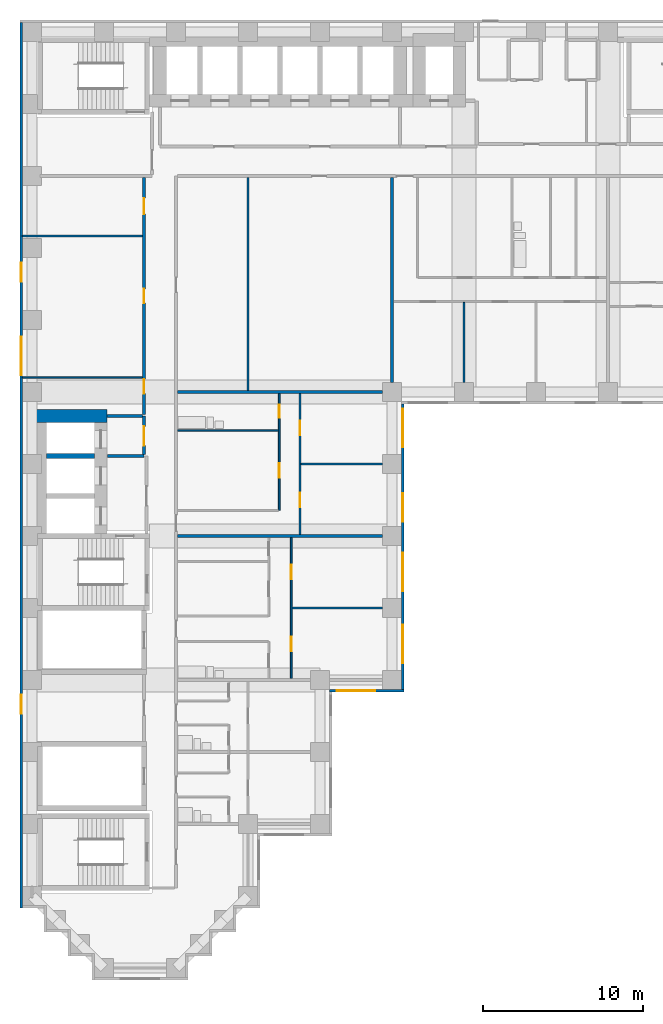
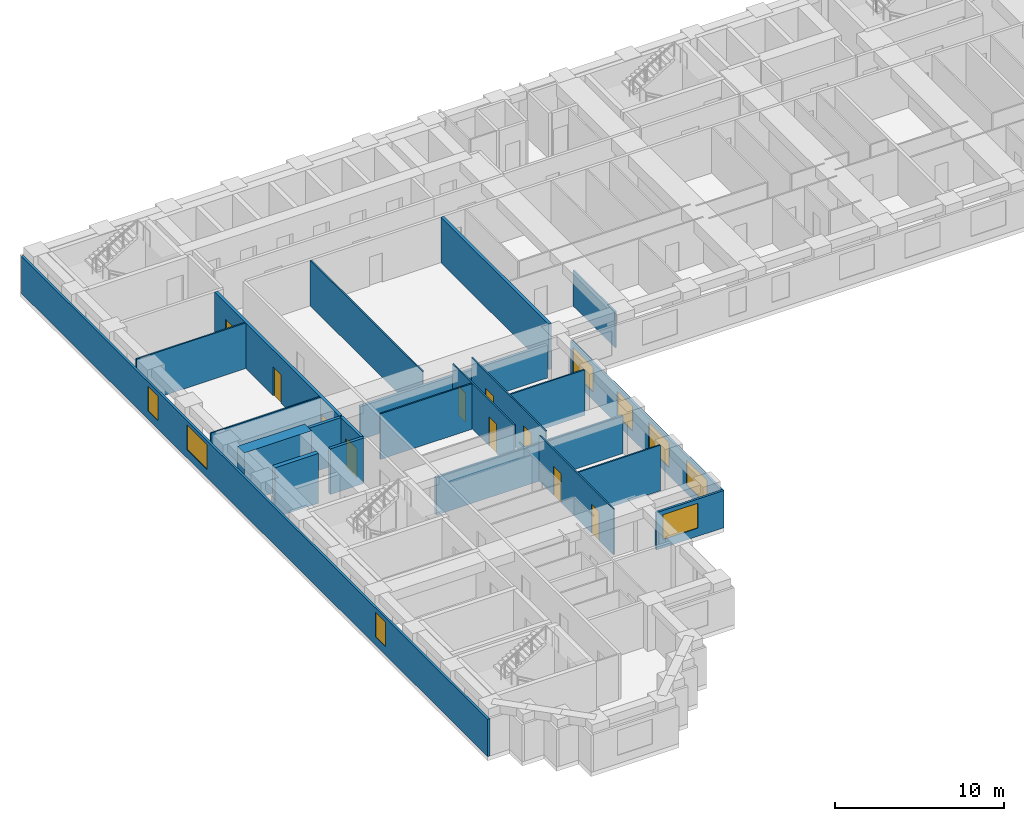
# One storey, part 4 of 12: 22 walls, 10 doors, 8 windows, 18 openings.
"""IFC4 building model written with IfcOpenShell, lengths in metres."""

from ifc_helpers import new_model, si_unit, direction, frame, frame_2d, origin, place, context, subcontext, project, spatial, rectangle, extrude, material, layer, layer_set, type_object, element, fill, save


model = new_model("IFC4")

# Units and contexts
model_context = context("Model", 3, precision=1e-05, world=origin(), true_north=direction((0.0, 1.0)))
body_context = subcontext(model_context, "Body", "Model", "MODEL_VIEW")
ifc_project = project(units=[si_unit("LENGTHUNIT", "METRE"), si_unit("AREAUNIT", "SQUARE_METRE"), si_unit("VOLUMEUNIT", "CUBIC_METRE"), si_unit("PLANEANGLEUNIT", "RADIAN"), si_unit("MASSUNIT", "GRAM", prefix="KILO")], contexts=[model_context])

# Site, building, storey
site_placement = place(None, origin())
site = spatial("IfcSite", under=ifc_project, at=site_placement, CompositionType="ELEMENT")
building_placement = place(site_placement, origin())
building = spatial("IfcBuilding", under=site, at=building_placement, Name="Firuza Court", CompositionType="ELEMENT")
storey_placement = place(building_placement, frame((0.0, 0.0, 65.0)))
storey = spatial("IfcBuildingStorey", under=building, at=storey_placement, Name="L15", CompositionType="ELEMENT", Elevation=65.0)

# Walls
ifc_material_1 = material(Name="Moisture-resistant gypsum board partition")
ifc_layer_1 = layer(ifc_material_1, 0.10009765625)
ifc_layer_set_1 = layer_set([ifc_layer_1], Name="Moisture-resistant gypsum board partition")
wall_type_1 = type_object("IfcWallType", Name="Bathroom partition 100", PredefinedType="PLUMBINGWALL", material=ifc_layer_set_1)
wall_1_placement = place(storey_placement, frame((9.10009765625, 33.60009765625, 0.0), z_axis=(0.0, 0.0, 1.0), x_axis=(1.0, 0.0, 0.0)))
element("IfcWall", 1, at=wall_1_placement, inside=storey, type_object=wall_type_1, Name="Bathroom partition 100 L15", PredefinedType="PLUMBINGWALL", context=body_context, shape_type="SweptSolid", body=[
    extrude(rectangle(XDim=6.2998046875, YDim=0.10009765625, at=frame_2d((3.14990234375, 0.0))), origin(), (0.0, 0.0, 1.0), 3.300048828125),
])
ifc_material_2 = material(Name="Concrete C60/75", Category="concrete")
ifc_layer_2 = layer(ifc_material_2, 0.300048828125)
ifc_layer_set_2 = layer_set([ifc_layer_2], Name="Concrete C60/75")
wall_type_2 = type_object("IfcWallType", Name="Core wall 300 C60/75", PredefinedType="SHEAR", material=ifc_layer_set_2)
wall_2_placement = place(storey_placement, frame((0.89990234375, 32.0, -0.300048828125), z_axis=(0.0, 0.0, 1.0), x_axis=(1.0, 0.0, 0.0)))
element("IfcWall", 2, at=wall_2_placement, inside=storey, type_object=wall_type_2, Name="Core wall lift shaft L15", PredefinedType="SHEAR", context=body_context, shape_type="SweptSolid", body=[
    extrude(rectangle(XDim=3.0, YDim=0.300048828125, at=frame_2d((1.5, 0.0))), origin(), (0.0, 0.0, 1.0), 3.60009765625),
])
ifc_layer_3 = layer(ifc_material_2, 0.800048828125)
ifc_layer_set_3 = layer_set([ifc_layer_3], Name="Concrete C60/75")
wall_type_3 = type_object("IfcWallType", Name="Core wall 800 C60/75", PredefinedType="SHEAR", material=ifc_layer_set_3)
wall_3_placement = place(storey_placement, frame((0.10009765625, 34.5, -0.300048828125), z_axis=(0.0, 0.0, 1.0), x_axis=(1.0, 0.0, 0.0)))
element("IfcWall", 3, at=wall_3_placement, inside=storey, type_object=wall_type_3, Name="Core wall lift shaft L15", PredefinedType="SHEAR", context=body_context, shape_type="SweptSolid", body=[
    extrude(rectangle(XDim=4.599853515625, YDim=0.800048828125, at=frame_2d((2.2998046875, 0.0))), origin(), (0.0, 0.0, 1.0), 3.60009765625),
])

# Wall, openings, doors
ifc_material_3 = material(Name="Blockwork, plastered both sides", Category="masonry")
ifc_layer_4 = layer(ifc_material_3, 0.199951171875)
ifc_layer_set_4 = layer_set([ifc_layer_4], Name="Blockwork, plastered both sides")
wall_type_4 = type_object("IfcWallType", Name="Corridor wall 200", PredefinedType="PARTITIONING", material=ifc_layer_set_4)
wall_4_placement = place(storey_placement, frame((7.0, 34.60009765625, 0.0), z_axis=(0.0, 0.0, 1.0), x_axis=(0.0, 1.0, 0.0)))
wall_4 = element("IfcWall", 4, at=wall_4_placement, inside=storey, type_object=wall_type_4, Name="Corridor wall 200 L15", PredefinedType="PARTITIONING", context=body_context, shape_type="SweptSolid", body=[
    extrude(rectangle(XDim=14.7998046875, YDim=0.199951171875, at=frame_2d((7.39990234375, 0.0))), origin(), (0.0, 0.0, 1.0), 3.300048828125),
])
opening_1_placement = place(wall_4_placement, frame((1.300048828125, 0.0, 0.0)))
opening_1 = element("IfcOpeningElement", 5, at=opening_1_placement, cuts=wall_4, Name="Opening D15041", PredefinedType="OPENING", context=body_context, shape_type="SweptSolid", body=[
    extrude(rectangle(XDim=0.89990234375, YDim=2.10009765625, at=frame_2d((0.449951171875, 1.050048828125))), frame((0.0, 0.11181640625, 0.0), z_axis=(0.0, -1.0, 0.0), x_axis=(1.0, 0.0, 0.0)), (0.0, 0.0, 1.0), 0.223876953125),
])
opening_2_placement = place(wall_4_placement, frame((6.949951171875, 0.0, 0.0)))
opening_2 = element("IfcOpeningElement", 6, at=opening_2_placement, cuts=wall_4, Name="Opening D15042", PredefinedType="OPENING", context=body_context, shape_type="SweptSolid", body=[
    extrude(rectangle(XDim=0.89990234375, YDim=2.10009765625, at=frame_2d((0.449951171875, 1.050048828125))), frame((0.0, 0.11181640625, 0.0), z_axis=(0.0, -1.0, 0.0), x_axis=(1.0, 0.0, 0.0)), (0.0, 0.0, 1.0), 0.223876953125),
])
opening_3_placement = place(wall_4_placement, frame((12.52490234375, 0.0, 0.0)))
opening_3 = element("IfcOpeningElement", 7, at=opening_3_placement, cuts=wall_4, Name="Opening D15043", PredefinedType="OPENING", context=body_context, shape_type="SweptSolid", body=[
    extrude(rectangle(XDim=1.0, YDim=2.10009765625, at=frame_2d((0.5, 1.050048828125))), frame((0.0, 0.11181640625, 0.0), z_axis=(0.0, -1.0, 0.0), x_axis=(1.0, 0.0, 0.0)), (0.0, 0.0, 1.0), 0.223876953125),
])
ifc_material_4 = material(Name="Timber door leaf in hardwood frame", Category="wood")
door_type_1 = type_object("IfcDoorType", Name="Room door 900 EI 30", OperationType="SINGLE_SWING_LEFT", PredefinedType="DOOR", material=ifc_material_4)
door_1_placement = place(opening_1_placement, origin())
door_1 = element("IfcDoor", 8, at=door_1_placement, inside=storey, type_object=door_type_1, Name="Meeting room door", OperationType="SINGLE_SWING_LEFT", OverallHeight=2.10009765625, OverallWidth=0.89990234375, PredefinedType="DOOR", context=body_context, shape_type="SweptSolid", body=[
    extrude(rectangle(XDim=0.89990234375, YDim=2.10009765625, at=frame_2d((0.449951171875, 1.050048828125))), frame((0.0, 0.02490234375, 0.0), z_axis=(0.0, -1.0, 0.0), x_axis=(1.0, 0.0, 0.0)), (0.0, 0.0, 1.0), 0.050048828125),
])
fill(opening_1, door_1)
door_2_placement = place(opening_2_placement, origin())
door_2 = element("IfcDoor", 9, at=door_2_placement, inside=storey, type_object=door_type_1, Name="Meeting room door", OperationType="SINGLE_SWING_LEFT", OverallHeight=2.10009765625, OverallWidth=0.89990234375, PredefinedType="DOOR", context=body_context, shape_type="SweptSolid", body=[
    extrude(rectangle(XDim=0.89990234375, YDim=2.10009765625, at=frame_2d((0.449951171875, 1.050048828125))), frame((0.0, 0.02490234375, 0.0), z_axis=(0.0, -1.0, 0.0), x_axis=(1.0, 0.0, 0.0)), (0.0, 0.0, 1.0), 0.050048828125),
])
fill(opening_2, door_2)
ifc_material_5 = material(Name="Timber door leaf in hardwood frame", Category="wood")
door_type_2 = type_object("IfcDoorType", Name="Store door 1000", OperationType="SINGLE_SWING_LEFT", PredefinedType="DOOR", material=ifc_material_5)
door_3_placement = place(opening_3_placement, origin())
door_3 = element("IfcDoor", 10, at=door_3_placement, inside=storey, type_object=door_type_2, Name="Comms room door", OperationType="SINGLE_SWING_LEFT", OverallHeight=2.10009765625, OverallWidth=1.0, PredefinedType="DOOR", context=body_context, shape_type="SweptSolid", body=[
    extrude(rectangle(XDim=1.0, YDim=2.10009765625, at=frame_2d((0.5, 1.050048828125))), frame((0.0, 0.02490234375, 0.0), z_axis=(0.0, -1.0, 0.0), x_axis=(1.0, 0.0, 0.0)), (0.0, 0.0, 1.0), 0.050048828125),
])
fill(opening_3, door_3)

ifc_material_6 = material(Name="Timber stud partition, plasterboard both sides", Category="wood")
ifc_layer_5 = layer(ifc_material_6, 0.10009765625)
ifc_layer_set_5 = layer_set([ifc_layer_5], Name="Timber stud partition, plasterboard both sides")
wall_type_5 = type_object("IfcWallType", Name="Partition wall 100", PredefinedType="PARTITIONING", material=ifc_layer_set_5)
wall_5_placement = place(storey_placement, frame((16.199951171875, 18.10009765625, 0.0), z_axis=(0.0, 0.0, 1.0), x_axis=(0.0, 1.0, 0.0)))
wall_5 = element("IfcWall", 11, at=wall_5_placement, inside=storey, type_object=wall_type_5, Name="Partition wall 100 L15", PredefinedType="PARTITIONING", context=body_context, shape_type="SweptSolid", body=[
    extrude(rectangle(XDim=8.7998046875, YDim=0.10009765625, at=frame_2d((4.39990234375, 0.0))), origin(), (0.0, 0.0, 1.0), 3.300048828125),
])
opening_4_placement = place(wall_5_placement, frame((1.699951171875, 0.0, 0.0)))
opening_4 = element("IfcOpeningElement", 12, at=opening_4_placement, cuts=wall_5, Name="Opening D15033", PredefinedType="OPENING", context=body_context, shape_type="SweptSolid", body=[
    extrude(rectangle(XDim=0.89990234375, YDim=2.10009765625, at=frame_2d((0.449951171875, 1.050048828125))), frame((0.0, 0.06201171875, 0.0), z_axis=(0.0, -1.0, 0.0), x_axis=(1.0, 0.0, 0.0)), (0.0, 0.0, 1.0), 0.1240234375),
])
opening_5_placement = place(wall_5_placement, frame((6.199951171875, 0.0, 0.0)))
opening_5 = element("IfcOpeningElement", 13, at=opening_5_placement, cuts=wall_5, Name="Opening D15034", PredefinedType="OPENING", context=body_context, shape_type="SweptSolid", body=[
    extrude(rectangle(XDim=0.89990234375, YDim=2.10009765625, at=frame_2d((0.449951171875, 1.050048828125))), frame((0.0, 0.06201171875, 0.0), z_axis=(0.0, -1.0, 0.0), x_axis=(1.0, 0.0, 0.0)), (0.0, 0.0, 1.0), 0.1240234375),
])
ifc_material_7 = material(Name="Timber door leaf in hardwood frame", Category="wood")
door_type_3 = type_object("IfcDoorType", Name="Room door 900", OperationType="SINGLE_SWING_LEFT", PredefinedType="DOOR", material=ifc_material_7)
door_4_placement = place(opening_4_placement, frame((0.89990234375, 0.0, 0.0), z_axis=(0.0, 0.0, 1.0), x_axis=(-1.0, 0.0, 0.0)))
door_4 = element("IfcDoor", 14, at=door_4_placement, inside=storey, type_object=door_type_3, Name="Bedroom door", OperationType="SINGLE_SWING_RIGHT", OverallHeight=2.10009765625, OverallWidth=0.89990234375, PredefinedType="DOOR", context=body_context, shape_type="SweptSolid", body=[
    extrude(rectangle(XDim=0.89990234375, YDim=2.10009765625, at=frame_2d((0.449951171875, 1.050048828125))), frame((0.0, 0.02490234375, 0.0), z_axis=(0.0, -1.0, 0.0), x_axis=(1.0, 0.0, 0.0)), (0.0, 0.0, 1.0), 0.050048828125),
])
fill(opening_4, door_4)
door_5_placement = place(opening_5_placement, frame((0.89990234375, 0.0, 0.0), z_axis=(0.0, 0.0, 1.0), x_axis=(-1.0, 0.0, 0.0)))
door_5 = element("IfcDoor", 15, at=door_5_placement, inside=storey, type_object=door_type_3, Name="Living room door", OperationType="SINGLE_SWING_RIGHT", OverallHeight=2.10009765625, OverallWidth=0.89990234375, PredefinedType="DOOR", context=body_context, shape_type="SweptSolid", body=[
    extrude(rectangle(XDim=0.89990234375, YDim=2.10009765625, at=frame_2d((0.449951171875, 1.050048828125))), frame((0.0, 0.02490234375, 0.0), z_axis=(0.0, -1.0, 0.0), x_axis=(1.0, 0.0, 0.0)), (0.0, 0.0, 1.0), 0.050048828125),
])
fill(opening_5, door_5)

# Wall
wall_6_placement = place(storey_placement, frame((16.25, 22.5, 0.0), z_axis=(0.0, 0.0, 1.0), x_axis=(1.0, 0.0, 0.0)))
element("IfcWall", 16, at=wall_6_placement, inside=storey, type_object=wall_type_5, Name="Partition wall 100 L15", PredefinedType="PARTITIONING", context=body_context, shape_type="SweptSolid", body=[
    extrude(rectangle(XDim=5.64990234375, YDim=0.10009765625, at=frame_2d((2.824951171875, 0.0))), origin(), (0.0, 0.0, 1.0), 3.300048828125),
])

# Wall, openings, doors
wall_7_placement = place(storey_placement, frame((16.75, 27.10009765625, 0.0), z_axis=(0.0, 0.0, 1.0), x_axis=(0.0, 1.0, 0.0)))
wall_7 = element("IfcWall", 17, at=wall_7_placement, inside=storey, type_object=wall_type_5, Name="Partition wall 100 L15", PredefinedType="PARTITIONING", context=body_context, shape_type="SweptSolid", body=[
    extrude(rectangle(XDim=8.7998046875, YDim=0.10009765625, at=frame_2d((4.39990234375, 0.0))), origin(), (0.0, 0.0, 1.0), 3.300048828125),
])
opening_6_placement = place(wall_7_placement, frame((1.699951171875, 0.0, 0.0)))
opening_6 = element("IfcOpeningElement", 18, at=opening_6_placement, cuts=wall_7, Name="Opening D15037", PredefinedType="OPENING", context=body_context, shape_type="SweptSolid", body=[
    extrude(rectangle(XDim=0.89990234375, YDim=2.10009765625, at=frame_2d((0.449951171875, 1.050048828125))), frame((0.0, 0.06201171875, 0.0), z_axis=(0.0, -1.0, 0.0), x_axis=(1.0, 0.0, 0.0)), (0.0, 0.0, 1.0), 0.1240234375),
])
opening_7_placement = place(wall_7_placement, frame((6.199951171875, 0.0, 0.0)))
opening_7 = element("IfcOpeningElement", 19, at=opening_7_placement, cuts=wall_7, Name="Opening D15038", PredefinedType="OPENING", context=body_context, shape_type="SweptSolid", body=[
    extrude(rectangle(XDim=0.89990234375, YDim=2.10009765625, at=frame_2d((0.449951171875, 1.050048828125))), frame((0.0, 0.06201171875, 0.0), z_axis=(0.0, -1.0, 0.0), x_axis=(1.0, 0.0, 0.0)), (0.0, 0.0, 1.0), 0.1240234375),
])
door_6_placement = place(opening_6_placement, frame((0.89990234375, 0.0, 0.0), z_axis=(0.0, 0.0, 1.0), x_axis=(-1.0, 0.0, 0.0)))
door_6 = element("IfcDoor", 20, at=door_6_placement, inside=storey, type_object=door_type_3, Name="Bedroom door", OperationType="SINGLE_SWING_RIGHT", OverallHeight=2.10009765625, OverallWidth=0.89990234375, PredefinedType="DOOR", context=body_context, shape_type="SweptSolid", body=[
    extrude(rectangle(XDim=0.89990234375, YDim=2.10009765625, at=frame_2d((0.449951171875, 1.050048828125))), frame((0.0, 0.02490234375, 0.0), z_axis=(0.0, -1.0, 0.0), x_axis=(1.0, 0.0, 0.0)), (0.0, 0.0, 1.0), 0.050048828125),
])
fill(opening_6, door_6)
door_7_placement = place(opening_7_placement, frame((0.89990234375, 0.0, 0.0), z_axis=(0.0, 0.0, 1.0), x_axis=(-1.0, 0.0, 0.0)))
door_7 = element("IfcDoor", 21, at=door_7_placement, inside=storey, type_object=door_type_3, Name="Living room door", OperationType="SINGLE_SWING_RIGHT", OverallHeight=2.10009765625, OverallWidth=0.89990234375, PredefinedType="DOOR", context=body_context, shape_type="SweptSolid", body=[
    extrude(rectangle(XDim=0.89990234375, YDim=2.10009765625, at=frame_2d((0.449951171875, 1.050048828125))), frame((0.0, 0.02490234375, 0.0), z_axis=(0.0, -1.0, 0.0), x_axis=(1.0, 0.0, 0.0)), (0.0, 0.0, 1.0), 0.050048828125),
])
fill(opening_7, door_7)

wall_8_placement = place(storey_placement, frame((15.449951171875, 28.60009765625, 0.0), z_axis=(0.0, 0.0, 1.0), x_axis=(0.0, 1.0, 0.0)))
wall_8 = element("IfcWall", 22, at=wall_8_placement, inside=storey, type_object=wall_type_5, Name="Partition wall 100 L15", PredefinedType="PARTITIONING", context=body_context, shape_type="SweptSolid", body=[
    extrude(rectangle(XDim=7.2998046875, YDim=0.10009765625, at=frame_2d((3.64990234375, 0.0))), origin(), (0.0, 0.0, 1.0), 3.300048828125),
])
opening_8_placement = place(wall_8_placement, frame((5.800048828125, 0.0, 0.0)))
opening_8 = element("IfcOpeningElement", 23, at=opening_8_placement, cuts=wall_8, Name="Opening D15039", PredefinedType="OPENING", context=body_context, shape_type="SweptSolid", body=[
    extrude(rectangle(XDim=0.800048828125, YDim=2.10009765625, at=frame_2d((0.39990234375, 1.050048828125))), frame((0.0, 0.06201171875, 0.0), z_axis=(0.0, -1.0, 0.0), x_axis=(1.0, 0.0, 0.0)), (0.0, 0.0, 1.0), 0.1240234375),
])
opening_9_placement = place(wall_8_placement, frame((2.050048828125, 0.0, 0.0)))
opening_9 = element("IfcOpeningElement", 24, at=opening_9_placement, cuts=wall_8, Name="Opening D15040", PredefinedType="OPENING", context=body_context, shape_type="SweptSolid", body=[
    extrude(rectangle(XDim=0.89990234375, YDim=2.10009765625, at=frame_2d((0.449951171875, 1.050048828125))), frame((0.0, 0.06201171875, 0.0), z_axis=(0.0, -1.0, 0.0), x_axis=(1.0, 0.0, 0.0)), (0.0, 0.0, 1.0), 0.1240234375),
])
ifc_material_8 = material(Name="Timber door leaf in hardwood frame", Category="wood")
door_type_4 = type_object("IfcDoorType", Name="Bathroom door 800", OperationType="SINGLE_SWING_LEFT", PredefinedType="DOOR", material=ifc_material_8)
door_8_placement = place(opening_8_placement, origin())
door_8 = element("IfcDoor", 25, at=door_8_placement, inside=storey, type_object=door_type_4, Name="Bathroom door", OperationType="SINGLE_SWING_LEFT", OverallHeight=2.10009765625, OverallWidth=0.800048828125, PredefinedType="DOOR", context=body_context, shape_type="SweptSolid", body=[
    extrude(rectangle(XDim=0.800048828125, YDim=2.10009765625, at=frame_2d((0.39990234375, 1.050048828125))), frame((0.0, 0.02490234375, 0.0), z_axis=(0.0, -1.0, 0.0), x_axis=(1.0, 0.0, 0.0)), (0.0, 0.0, 1.0), 0.050048828125),
])
fill(opening_8, door_8)
door_9_placement = place(opening_9_placement, origin())
door_9 = element("IfcDoor", 26, at=door_9_placement, inside=storey, type_object=door_type_3, Name="Kitchen door", OperationType="SINGLE_SWING_LEFT", OverallHeight=2.10009765625, OverallWidth=0.89990234375, PredefinedType="DOOR", context=body_context, shape_type="SweptSolid", body=[
    extrude(rectangle(XDim=0.89990234375, YDim=2.10009765625, at=frame_2d((0.449951171875, 1.050048828125))), frame((0.0, 0.02490234375, 0.0), z_axis=(0.0, -1.0, 0.0), x_axis=(1.0, 0.0, 0.0)), (0.0, 0.0, 1.0), 0.050048828125),
])
fill(opening_9, door_9)

# Walls
wall_9_placement = place(storey_placement, frame((16.800048828125, 31.5, 0.0), z_axis=(0.0, 0.0, 1.0), x_axis=(1.0, 0.0, 0.0)))
element("IfcWall", 27, at=wall_9_placement, inside=storey, type_object=wall_type_5, Name="Partition wall 100 L15", PredefinedType="PARTITIONING", context=body_context, shape_type="SweptSolid", body=[
    extrude(rectangle(XDim=5.099853515625, YDim=0.10009765625, at=frame_2d((2.5498046875, 0.0))), origin(), (0.0, 0.0, 1.0), 3.300048828125),
])
wall_10_placement = place(storey_placement, frame((13.5, 36.10009765625, 0.0), z_axis=(0.0, 0.0, 1.0), x_axis=(0.0, 1.0, 0.0)))
element("IfcWall", 28, at=wall_10_placement, inside=storey, type_object=wall_type_5, Name="Partition wall 100 L15", PredefinedType="PARTITIONING", context=body_context, shape_type="SweptSolid", body=[
    extrude(rectangle(XDim=13.2998046875, YDim=0.10009765625, at=frame_2d((6.64990234375, 0.0))), origin(), (0.0, 0.0, 1.0), 3.300048828125),
])
wall_11_placement = place(storey_placement, frame((27.0, 36.60009765625, 0.0), z_axis=(0.0, 0.0, 1.0), x_axis=(0.0, 1.0, 0.0)))
element("IfcWall", 29, at=wall_11_placement, inside=storey, type_object=wall_type_5, Name="Partition wall 100 L15", PredefinedType="PARTITIONING", context=body_context, shape_type="SweptSolid", body=[
    extrude(rectangle(XDim=5.0, YDim=0.10009765625, at=frame_2d((2.5, 0.0))), origin(), (0.0, 0.0, 1.0), 2.60009765625),
])
for number, where, z_axis, x_axis, name in (
    (30, (-0.60009765625, 36.89990234375, 0.0), (0.0, 0.0, 1.0), (1.0, 0.0, 0.0), "Partition wall 100 L15"),
    (31, (-0.60009765625, 45.75, 0.0), (0.0, 0.0, 1.0), (1.0, 0.0, 0.0), "Partition wall 100 L15"),
):
    element("IfcWall", number, at=place(storey_placement, frame(where, z_axis=z_axis, x_axis=x_axis)), inside=storey, type_object=wall_type_5, Name=name, PredefinedType="PARTITIONING", context=body_context, shape_type="SweptSolid", body=[
        extrude(rectangle(XDim=7.5, YDim=0.10009765625, at=frame_2d((3.75, 0.0))), origin(), (0.0, 0.0, 1.0), 3.300048828125),
    ])
ifc_layer_6 = layer(ifc_material_3, 0.199951171875)
ifc_layer_set_6 = layer_set([ifc_layer_6], Name="Blockwork, plastered both sides")
wall_type_6 = type_object("IfcWallType", Name="Party wall 200", PredefinedType="PARTITIONING", material=ifc_layer_set_6)
wall_12_placement = place(storey_placement, frame((9.10009765625, 27.0, 0.0), z_axis=(0.0, 0.0, 1.0), x_axis=(1.0, 0.0, 0.0)))
element("IfcWall", 32, at=wall_12_placement, inside=storey, type_object=wall_type_6, Name="Party wall 200 L15", PredefinedType="PARTITIONING", context=body_context, shape_type="SweptSolid", body=[
    extrude(rectangle(XDim=12.7998046875, YDim=0.199951171875, at=frame_2d((6.39990234375, 0.0))), origin(), (0.0, 0.0, 1.0), 2.699951171875),
])
wall_13_placement = place(storey_placement, frame((9.10009765625, 36.0, 0.0), z_axis=(0.0, 0.0, 1.0), x_axis=(1.0, 0.0, 0.0)))
element("IfcWall", 33, at=wall_13_placement, inside=storey, type_object=wall_type_6, Name="Party wall 200 L15", PredefinedType="PARTITIONING", context=body_context, shape_type="SweptSolid", body=[
    extrude(rectangle(XDim=12.7998046875, YDim=0.199951171875, at=frame_2d((6.39990234375, 0.0))), origin(), (0.0, 0.0, 1.0), 2.39990234375),
])
wall_14_placement = place(storey_placement, frame((22.5, 36.60009765625, 0.0), z_axis=(0.0, 0.0, 1.0), x_axis=(0.0, 1.0, 0.0)))
element("IfcWall", 34, at=wall_14_placement, inside=storey, type_object=wall_type_6, Name="Party wall 200 L15", PredefinedType="PARTITIONING", context=body_context, shape_type="SweptSolid", body=[
    extrude(rectangle(XDim=12.7998046875, YDim=0.199951171875, at=frame_2d((6.39990234375, 0.0))), origin(), (0.0, 0.0, 1.0), 3.300048828125),
])

# Wall, opening, window
ifc_material_9 = material(Name="Ceramic tile", Category="ceramic")
ifc_layer_7 = layer(ifc_material_9, 0.02001953125)
ifc_material_10 = material(Name="Mineral wool insulation", Category="insulation")
ifc_layer_8 = layer(ifc_material_10, 0.050048828125)
ifc_material_11 = material(Name="Concrete C40/50 precast", Category="concrete")
ifc_layer_9 = layer(ifc_material_11, 0.080078125)
ifc_layer_set_7 = layer_set([ifc_layer_7, ifc_layer_8, ifc_layer_9], Name="Concrete C40/50 precast")
wall_type_7 = type_object("IfcWallType", Name="Precast cladding wall with turquoise TILE PANEL face 150", PredefinedType="STANDARD", material=ifc_layer_set_7)
wall_15_placement = place(storey_placement, frame((18.60009765625, 17.324951171875, 0.0), z_axis=(0.0, 0.0, 1.0), x_axis=(1.0, 0.0, 0.0)))
wall_15 = element("IfcWall", 35, at=wall_15_placement, inside=storey, type_object=wall_type_7, Name="Facade wall L15 S", PredefinedType="STANDARD", context=body_context, shape_type="SweptSolid", body=[
    extrude(rectangle(XDim=4.64990234375, YDim=0.14990234375, at=frame_2d((2.324951171875, 0.0))), origin(), (0.0, 0.0, 1.0), 2.699951171875),
])
opening_10_placement = place(wall_15_placement, frame((0.449951171875, 0.0, 0.60009765625)))
opening_10 = element("IfcOpeningElement", 36, at=opening_10_placement, cuts=wall_15, Name="Opening W1", PredefinedType="OPENING", context=body_context, shape_type="SweptSolid", body=[
    extrude(rectangle(XDim=2.39990234375, YDim=1.800048828125, at=frame_2d((1.199951171875, 0.89990234375))), frame((0.0, 0.0869140625, 0.0), z_axis=(0.0, -1.0, 0.0), x_axis=(1.0, 0.0, 0.0)), (0.0, 0.0, 1.0), 0.173828125),
])
ifc_material_12 = material(Name="Aluminium frame, triple clear glazing", Category="aluminium")
window_type_1 = type_object("IfcWindowType", Name="Window W1 2400 x 1800", PartitioningType="SINGLE_PANEL", PredefinedType="WINDOW", material=ifc_material_12)
window_1_placement = place(opening_10_placement, origin())
window_1 = element("IfcWindow", 37, at=window_1_placement, inside=storey, type_object=window_type_1, Name="Window L15", OverallHeight=1.800048828125, OverallWidth=2.39990234375, PartitioningType="SINGLE_PANEL", PredefinedType="WINDOW", context=body_context, shape_type="SweptSolid", body=[
    extrude(rectangle(XDim=2.39990234375, YDim=1.800048828125, at=frame_2d((1.199951171875, 0.89990234375))), frame((0.0, 0.030029296875, 0.0), z_axis=(0.0, -1.0, 0.0), x_axis=(1.0, 0.0, 0.0)), (0.0, 0.0, 1.0), 0.06005859375),
])
fill(opening_10, window_1)

# Wall, openings, windows
wall_16_placement = place(storey_placement, frame((23.175048828125, 17.39990234375, 0.0), z_axis=(0.0, 0.0, 1.0), x_axis=(0.0, 1.0, 0.0)))
wall_16 = element("IfcWall", 38, at=wall_16_placement, inside=storey, type_object=wall_type_7, Name="Facade wall L15 E", PredefinedType="STANDARD", context=body_context, shape_type="SweptSolid", body=[
    extrude(rectangle(XDim=17.85009765625, YDim=0.14990234375, at=frame_2d((8.925048828125, 0.0))), origin(), (0.0, 0.0, 1.0), 2.699951171875),
])
opening_11_placement = place(wall_16_placement, frame((1.64990234375, 0.0, 0.60009765625)))
opening_11 = element("IfcOpeningElement", 39, at=opening_11_placement, cuts=wall_16, Name="Opening W1", PredefinedType="OPENING", context=body_context, shape_type="SweptSolid", body=[
    extrude(rectangle(XDim=2.39990234375, YDim=1.800048828125, at=frame_2d((1.199951171875, 0.89990234375))), frame((0.0, 0.0869140625, 0.0), z_axis=(0.0, -1.0, 0.0), x_axis=(1.0, 0.0, 0.0)), (0.0, 0.0, 1.0), 0.173828125),
])
opening_12_placement = place(wall_16_placement, frame((6.14990234375, 0.0, 0.60009765625)))
opening_12 = element("IfcOpeningElement", 40, at=opening_12_placement, cuts=wall_16, Name="Opening W1", PredefinedType="OPENING", context=body_context, shape_type="SweptSolid", body=[
    extrude(rectangle(XDim=2.39990234375, YDim=1.800048828125, at=frame_2d((1.199951171875, 0.89990234375))), frame((0.0, 0.0869140625, 0.0), z_axis=(0.0, -1.0, 0.0), x_axis=(1.0, 0.0, 0.0)), (0.0, 0.0, 1.0), 0.173828125),
])
opening_13_placement = place(wall_16_placement, frame((10.478759765625, 0.0, 0.60009765625)))
opening_13 = element("IfcOpeningElement", 41, at=opening_13_placement, cuts=wall_16, Name="Opening W7", PredefinedType="OPENING", context=body_context, shape_type="SweptSolid", body=[
    extrude(rectangle(XDim=1.800048828125, YDim=1.800048828125, at=frame_2d((0.89990234375, 0.89990234375))), frame((0.0, 0.0869140625, 0.0), z_axis=(0.0, -1.0, 0.0), x_axis=(1.0, 0.0, 0.0)), (0.0, 0.0, 1.0), 0.173828125),
])
opening_14_placement = place(wall_16_placement, frame((15.14990234375, 0.0, 0.60009765625)))
opening_14 = element("IfcOpeningElement", 42, at=opening_14_placement, cuts=wall_16, Name="Opening W1", PredefinedType="OPENING", context=body_context, shape_type="SweptSolid", body=[
    extrude(rectangle(XDim=2.39990234375, YDim=1.800048828125, at=frame_2d((1.199951171875, 0.89990234375))), frame((0.0, 0.0869140625, 0.0), z_axis=(0.0, -1.0, 0.0), x_axis=(1.0, 0.0, 0.0)), (0.0, 0.0, 1.0), 0.173828125),
])
window_2_placement = place(opening_11_placement, origin())
window_2 = element("IfcWindow", 43, at=window_2_placement, inside=storey, type_object=window_type_1, Name="Window L15", OverallHeight=1.800048828125, OverallWidth=2.39990234375, PartitioningType="SINGLE_PANEL", PredefinedType="WINDOW", context=body_context, shape_type="SweptSolid", body=[
    extrude(rectangle(XDim=2.39990234375, YDim=1.800048828125, at=frame_2d((1.199951171875, 0.89990234375))), frame((0.0, 0.030029296875, 0.0), z_axis=(0.0, -1.0, 0.0), x_axis=(1.0, 0.0, 0.0)), (0.0, 0.0, 1.0), 0.06005859375),
])
fill(opening_11, window_2)
window_3_placement = place(opening_12_placement, origin())
window_3 = element("IfcWindow", 44, at=window_3_placement, inside=storey, type_object=window_type_1, Name="Window L15", OverallHeight=1.800048828125, OverallWidth=2.39990234375, PartitioningType="SINGLE_PANEL", PredefinedType="WINDOW", context=body_context, shape_type="SweptSolid", body=[
    extrude(rectangle(XDim=2.39990234375, YDim=1.800048828125, at=frame_2d((1.199951171875, 0.89990234375))), frame((0.0, 0.030029296875, 0.0), z_axis=(0.0, -1.0, 0.0), x_axis=(1.0, 0.0, 0.0)), (0.0, 0.0, 1.0), 0.06005859375),
])
fill(opening_12, window_3)
window_4_placement = place(opening_14_placement, origin())
window_4 = element("IfcWindow", 45, at=window_4_placement, inside=storey, type_object=window_type_1, Name="Window L15", OverallHeight=1.800048828125, OverallWidth=2.39990234375, PartitioningType="SINGLE_PANEL", PredefinedType="WINDOW", context=body_context, shape_type="SweptSolid", body=[
    extrude(rectangle(XDim=2.39990234375, YDim=1.800048828125, at=frame_2d((1.199951171875, 0.89990234375))), frame((0.0, 0.030029296875, 0.0), z_axis=(0.0, -1.0, 0.0), x_axis=(1.0, 0.0, 0.0)), (0.0, 0.0, 1.0), 0.06005859375),
])
fill(opening_14, window_4)
ifc_material_13 = material(Name="Aluminium frame, triple clear glazing", Category="aluminium")
window_type_2 = type_object("IfcWindowType", Name="Window W7 1800 x 1800", PartitioningType="SINGLE_PANEL", PredefinedType="WINDOW", material=ifc_material_13)
window_5_placement = place(opening_13_placement, origin())
window_5 = element("IfcWindow", 46, at=window_5_placement, inside=storey, type_object=window_type_2, Name="Window L15", OverallHeight=1.800048828125, OverallWidth=1.800048828125, PartitioningType="SINGLE_PANEL", PredefinedType="WINDOW", context=body_context, shape_type="SweptSolid", body=[
    extrude(rectangle(XDim=1.800048828125, YDim=1.800048828125, at=frame_2d((0.89990234375, 0.89990234375))), frame((0.0, 0.030029296875, 0.0), z_axis=(0.0, -1.0, 0.0), x_axis=(1.0, 0.0, 0.0)), (0.0, 0.0, 1.0), 0.06005859375),
])
fill(opening_13, window_5)

wall_17_placement = place(storey_placement, frame((-0.675048828125, 59.10009765625, 0.0), z_axis=(0.0, 0.0, 1.0), x_axis=(0.0, -1.0, 0.0)))
wall_17 = element("IfcWall", 47, at=wall_17_placement, inside=storey, type_object=wall_type_7, Name="Facade wall L15 W", PredefinedType="STANDARD", context=body_context, shape_type="SweptSolid", body=[
    extrude(rectangle(XDim=55.35009765625, YDim=0.14990234375, at=frame_2d((27.675048828125, 0.0))), origin(), (0.0, 0.0, 1.0), 2.699951171875),
])
opening_15_placement = place(wall_17_placement, frame((15.023193359375, 0.0, 0.60009765625)))
opening_15 = element("IfcOpeningElement", 48, at=opening_15_placement, cuts=wall_17, Name="Opening W8", PredefinedType="OPENING", context=body_context, shape_type="SweptSolid", body=[
    extrude(rectangle(XDim=1.199951171875, YDim=1.800048828125, at=frame_2d((0.60009765625, 0.89990234375))), frame((0.0, 0.0869140625, 0.0), z_axis=(0.0, -1.0, 0.0), x_axis=(1.0, 0.0, 0.0)), (0.0, 0.0, 1.0), 0.173828125),
])
opening_16_placement = place(wall_17_placement, frame((19.64990234375, 0.0, 0.60009765625)))
opening_16 = element("IfcOpeningElement", 49, at=opening_16_placement, cuts=wall_17, Name="Opening W1", PredefinedType="OPENING", context=body_context, shape_type="SweptSolid", body=[
    extrude(rectangle(XDim=2.39990234375, YDim=1.800048828125, at=frame_2d((1.199951171875, 0.89990234375))), frame((0.0, 0.0869140625, 0.0), z_axis=(0.0, -1.0, 0.0), x_axis=(1.0, 0.0, 0.0)), (0.0, 0.0, 1.0), 0.173828125),
])
opening_17_placement = place(wall_17_placement, frame((42.023193359375, 0.0, 0.60009765625)))
opening_17 = element("IfcOpeningElement", 50, at=opening_17_placement, cuts=wall_17, Name="Opening W8", PredefinedType="OPENING", context=body_context, shape_type="SweptSolid", body=[
    extrude(rectangle(XDim=1.199951171875, YDim=1.800048828125, at=frame_2d((0.60009765625, 0.89990234375))), frame((0.0, 0.0869140625, 0.0), z_axis=(0.0, -1.0, 0.0), x_axis=(1.0, 0.0, 0.0)), (0.0, 0.0, 1.0), 0.173828125),
])
window_6_placement = place(opening_16_placement, origin())
window_6 = element("IfcWindow", 51, at=window_6_placement, inside=storey, type_object=window_type_1, Name="Window L15", OverallHeight=1.800048828125, OverallWidth=2.39990234375, PartitioningType="SINGLE_PANEL", PredefinedType="WINDOW", context=body_context, shape_type="SweptSolid", body=[
    extrude(rectangle(XDim=2.39990234375, YDim=1.800048828125, at=frame_2d((1.199951171875, 0.89990234375))), frame((0.0, 0.030029296875, 0.0), z_axis=(0.0, -1.0, 0.0), x_axis=(1.0, 0.0, 0.0)), (0.0, 0.0, 1.0), 0.06005859375),
])
fill(opening_16, window_6)
ifc_material_14 = material(Name="Aluminium frame, triple clear glazing", Category="aluminium")
window_type_3 = type_object("IfcWindowType", Name="Window W8 1200 x 1800", PartitioningType="SINGLE_PANEL", PredefinedType="WINDOW", material=ifc_material_14)
window_7_placement = place(opening_15_placement, origin())
window_7 = element("IfcWindow", 52, at=window_7_placement, inside=storey, type_object=window_type_3, Name="Window L15", OverallHeight=1.800048828125, OverallWidth=1.199951171875, PartitioningType="SINGLE_PANEL", PredefinedType="WINDOW", context=body_context, shape_type="SweptSolid", body=[
    extrude(rectangle(XDim=1.199951171875, YDim=1.800048828125, at=frame_2d((0.60009765625, 0.89990234375))), frame((0.0, 0.030029296875, 0.0), z_axis=(0.0, -1.0, 0.0), x_axis=(1.0, 0.0, 0.0)), (0.0, 0.0, 1.0), 0.06005859375),
])
fill(opening_15, window_7)
window_8_placement = place(opening_17_placement, origin())
window_8 = element("IfcWindow", 53, at=window_8_placement, inside=storey, type_object=window_type_3, Name="Window L15", OverallHeight=1.800048828125, OverallWidth=1.199951171875, PartitioningType="SINGLE_PANEL", PredefinedType="WINDOW", context=body_context, shape_type="SweptSolid", body=[
    extrude(rectangle(XDim=1.199951171875, YDim=1.800048828125, at=frame_2d((0.60009765625, 0.89990234375))), frame((0.0, 0.030029296875, 0.0), z_axis=(0.0, -1.0, 0.0), x_axis=(1.0, 0.0, 0.0)), (0.0, 0.0, 1.0), 0.06005859375),
])
fill(opening_17, window_8)

# Wall
ifc_material_15 = material(Name="Blockwork, fire-rated", Category="masonry")
ifc_layer_10 = layer(ifc_material_15, 0.199951171875)
ifc_layer_set_8 = layer_set([ifc_layer_10], Name="Blockwork, fire-rated")
wall_type_8 = type_object("IfcWallType", Name="Shaft wall 200", PredefinedType="PARTITIONING", material=ifc_layer_set_8)
wall_18_placement = place(storey_placement, frame((4.719970703125, 32.0, 0.0), z_axis=(0.0, 0.0, 1.0), x_axis=(1.0, 0.0, 0.0)))
element("IfcWall", 54, at=wall_18_placement, inside=storey, type_object=wall_type_8, Name="Shaft wall 200 L15", PredefinedType="PARTITIONING", context=body_context, shape_type="SweptSolid", body=[
    extrude(rectangle(XDim=2.280029296875, YDim=0.199951171875, at=frame_2d((1.14013671875, 0.0))), origin(), (0.0, 0.0, 1.0), 3.300048828125),
])

# Wall, opening, door
wall_19_placement = place(storey_placement, frame((7.0, 32.10009765625, 0.0), z_axis=(0.0, 0.0, 1.0), x_axis=(0.0, 1.0, 0.0)))
wall_19 = element("IfcWall", 55, at=wall_19_placement, inside=storey, type_object=wall_type_8, Name="Shaft wall 200 L15", PredefinedType="PARTITIONING", context=body_context, shape_type="SweptSolid", body=[
    extrude(rectangle(XDim=2.39990234375, YDim=0.199951171875, at=frame_2d((1.199951171875, 0.0))), origin(), (0.0, 0.0, 1.0), 3.300048828125),
])
opening_18_placement = place(wall_19_placement, frame((0.550048828125, 0.0, 0.0)))
opening_18 = element("IfcOpeningElement", 56, at=opening_18_placement, cuts=wall_19, Name="Opening D15008", PredefinedType="OPENING", context=body_context, shape_type="SweptSolid", body=[
    extrude(rectangle(XDim=1.199951171875, YDim=2.10009765625, at=frame_2d((0.60009765625, 1.050048828125))), frame((0.0, 0.11181640625, 0.0), z_axis=(0.0, -1.0, 0.0), x_axis=(1.0, 0.0, 0.0)), (0.0, 0.0, 1.0), 0.223876953125),
])
ifc_material_16 = material(Name="Timber door leaf in hardwood frame", Category="wood")
door_type_5 = type_object("IfcDoorType", Name="Lobby door 1200", OperationType="SINGLE_SWING_LEFT", PredefinedType="DOOR", material=ifc_material_16)
door_10_placement = place(opening_18_placement, origin())
door_10 = element("IfcDoor", 57, at=door_10_placement, inside=storey, type_object=door_type_5, Name="Lobby door", OperationType="SINGLE_SWING_LEFT", OverallHeight=2.10009765625, OverallWidth=1.199951171875, PredefinedType="DOOR", context=body_context, shape_type="SweptSolid", body=[
    extrude(rectangle(XDim=1.199951171875, YDim=2.10009765625, at=frame_2d((0.60009765625, 1.050048828125))), frame((0.0, 0.02490234375, 0.0), z_axis=(0.0, -1.0, 0.0), x_axis=(1.0, 0.0, 0.0)), (0.0, 0.0, 1.0), 0.050048828125),
])
fill(opening_18, door_10)

# Wall
wall_20_placement = place(storey_placement, frame((4.699951171875, 34.5, 0.0), z_axis=(0.0, 0.0, 1.0), x_axis=(1.0, 0.0, 0.0)))
element("IfcWall", 58, at=wall_20_placement, inside=storey, type_object=wall_type_8, Name="Shaft wall 200 L15", PredefinedType="PARTITIONING", context=body_context, shape_type="SweptSolid", body=[
    extrude(rectangle(XDim=2.199951171875, YDim=0.199951171875, at=frame_2d((1.10009765625, 0.0))), origin(), (0.0, 0.0, 1.0), 3.300048828125),
])

save(model, "model.ifc")
